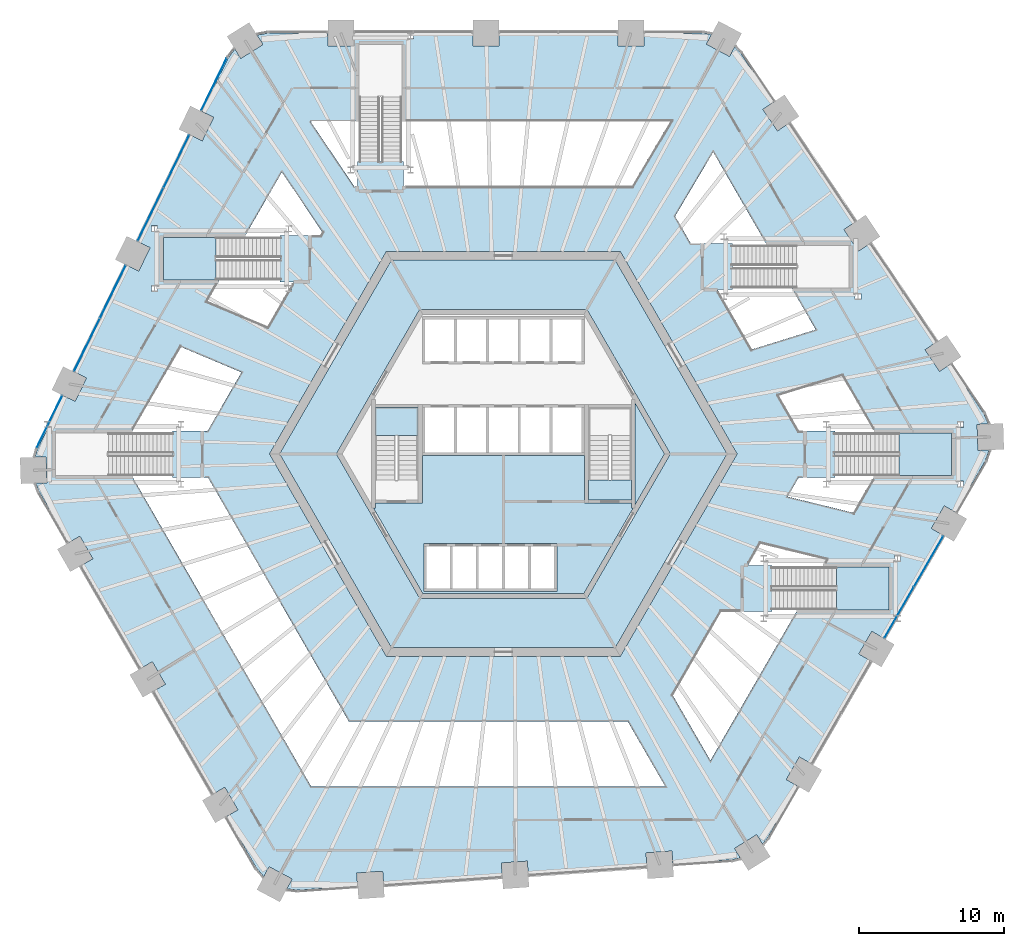
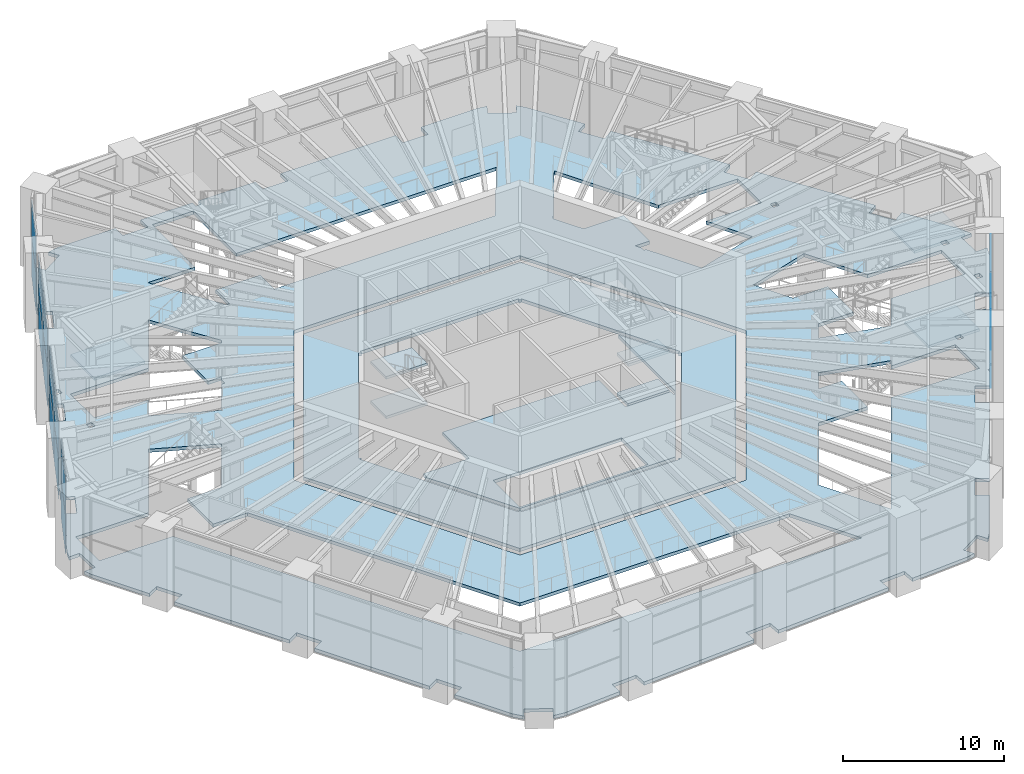
# One storey, part 17 of 32: 16 plates, 11 slabs, 10 elements without a shape of their own.
"""IFC4 building model written with IfcOpenShell, lengths in metres."""

from ifc_helpers import new_model, si_unit, direction, frame, origin, origin_2d, place, context, subcontext, project, spatial, polyline, rectangle, outline, extrude, material, layer, layer_set, type_object, element, aggregate, save


model = new_model("IFC4")

# Units and contexts
model_context = context("Model", 3, precision=1e-05, world=origin(), true_north=direction((0.0, 1.0)))
body_context = subcontext(model_context, "Body", "Model", "MODEL_VIEW")
ifc_project = project(units=[si_unit("LENGTHUNIT", "METRE"), si_unit("AREAUNIT", "SQUARE_METRE"), si_unit("VOLUMEUNIT", "CUBIC_METRE"), si_unit("PLANEANGLEUNIT", "RADIAN"), si_unit("MASSUNIT", "GRAM", prefix="KILO")], contexts=[model_context])

# Site, building, storey
site_placement = place(None, origin())
site = spatial("IfcSite", under=ifc_project, at=site_placement, CompositionType="ELEMENT")
building_placement = place(site_placement, origin())
building = spatial("IfcBuilding", under=site, at=building_placement, Name="Tarnside Tower", CompositionType="ELEMENT")
storey_placement = place(building_placement, frame((0.0, 0.0, 9.0)))
storey = spatial("IfcBuildingStorey", under=building, at=storey_placement, Name="L01", CompositionType="ELEMENT", Elevation=9.0)

# Slabs
ifc_material_1 = material(Name="Concrete C35/45", Category="concrete")
ifc_layer_1 = layer(ifc_material_1, 0.25)
ifc_layer_set_1 = layer_set([ifc_layer_1], Name="Composite floor slab 250")
slab_type_1 = type_object("IfcSlabType", Name="Composite floor slab 250", PredefinedType="FLOOR", material=ifc_layer_set_1)
slab_1_placement = place(storey_placement, frame((0.0, 0.0, -0.25)))
element("IfcSlab", 1, at=slab_1_placement, inside=storey, type_object=slab_type_1, Name="Floor slab L01", PredefinedType="FLOOR", context=body_context, shape_type="SweptSolid", body=[
    extrude(outline(polyline([(25.4775390625, -12.271728515625), (24.577392578125, -13.83056640625), (25.35693359375, -14.280517578125), (21.2451171875, -21.402587890625), (20.465576171875, -20.952392578125), (19.565673828125, -22.511474609375), (20.344970703125, -22.96142578125), (18.2890625, -26.522216796875), (17.91748046875, -26.9755859375), (17.51171875, -26.326416015625), (15.9853515625, -27.2802734375), (16.39111328125, -27.9296875), (15.82080078125, -28.064697265625), (11.718994140625, -28.3515625), (11.656005859375, -27.453857421875), (9.860595703125, -27.579345703125), (9.923095703125, -28.477294921875), (1.719482421875, -29.05078125), (1.65673828125, -28.153076171875), (-0.138916015625, -28.278564453125), (-0.075927734375, -29.176513671875), (-8.27978515625, -29.75), (-8.342529296875, -28.852294921875), (-10.13818359375, -28.977783203125), (-10.0751953125, -29.87548828125), (-14.177001953125, -30.162353515625), (-14.968994140625, -30.06982421875), (-14.6064453125, -29.3876953125), (-16.19580078125, -28.54248046875), (-16.558349609375, -29.224853515625), (-17.077880859375, -28.6201171875), (-19.134033203125, -25.05908203125), (-18.3544921875, -24.60888671875), (-19.25439453125, -23.05029296875), (-20.033935546875, -23.500244140625), (-24.145751953125, -16.378173828125), (-23.366455078125, -15.92822265625), (-24.266357421875, -14.369384765625), (-25.0458984375, -14.8193359375), (-29.15771484375, -7.697509765625), (-28.378173828125, -7.24755859375), (-29.2783203125, -5.688720703125), (-30.0576171875, -6.138671875), (-32.113525390625, -2.57763671875), (-32.3203125, -2.029296875), (-31.55517578125, -2.00244140625), (-31.617919921875, -0.20361328125), (-32.38330078125, -0.230224609375), (-32.215087890625, 0.331298828125), (-31.479736328125, 1.839111328125), (-31.339111328125, 1.839111328125), (-31.339111328125, 2.127197265625), (-30.41259765625, 4.027099609375), (-29.603759765625, 3.63232421875), (-28.814697265625, 5.250244140625), (-29.62353515625, 5.644775390625), (-26.0185546875, 13.0361328125), (-25.209716796875, 12.6416015625), (-24.420654296875, 14.259521484375), (-25.2294921875, 14.654052734375), (-21.62451171875, 22.04541015625), (-20.8154296875, 21.65087890625), (-20.026611328125, 23.268798828125), (-20.83544921875, 23.663330078125), (-19.032958984375, 27.35888671875), (-18.556640625, 27.99853515625), (-18.147216796875, 27.343505859375), (-16.620849609375, 28.297119140625), (-17.0302734375, 28.952392578125), (-16.24658203125, 29.10009765625), (-12.134765625, 29.10009765625), (-12.134765625, 28.199951171875), (-10.334716796875, 28.199951171875), (-10.334716796875, 29.10009765625), (-6.62548828125, 29.10009765625), (-6.62548828125, 28.689208984375), (-6.21337890625, 28.689208984375), (-6.21337890625, 29.10009765625), (-2.111083984375, 29.10009765625), (-2.111083984375, 28.199951171875), (-0.31103515625, 28.199951171875), (-0.31103515625, 29.10009765625), (7.91259765625, 29.10009765625), (7.91259765625, 28.199951171875), (9.712646484375, 28.199951171875), (9.712646484375, 29.10009765625), (13.824462890625, 29.10009765625), (14.40283203125, 29.0048828125), (14.04345703125, 28.328857421875), (15.6328125, 27.483642578125), (15.9921875, 28.159912109375), (16.39453125, 27.7333984375), (18.69384765625, 24.32470703125), (17.947509765625, 23.8212890625), (18.9541015625, 22.3291015625), (19.7001953125, 22.83251953125), (24.298828125, 16.0146484375), (23.552734375, 15.51123046875), (24.559326171875, 14.01904296875), (25.305419921875, 14.522216796875), (29.904052734375, 7.70458984375), (29.157958984375, 7.201416015625), (30.16455078125, 5.708984375), (30.91064453125, 6.21240234375), (33.2099609375, 2.803466796875), (33.52587890625, 2.0712890625), (32.753662109375, 2.044189453125), (32.81640625, 0.245361328125), (33.588623046875, 0.2724609375), (33.32470703125, -0.47998046875), (31.268798828125, -4.041015625), (30.4892578125, -3.591064453125), (29.58935546875, -5.14990234375), (30.36865234375, -5.599853515625), (27.156005859375, -11.164306640625), (27.04931640625, -11.164306640625), (27.04931640625, -11.349365234375), (26.2568359375, -12.7216796875), (25.4775390625, -12.271728515625)]), holes=[polyline([(8.0830078125, 14.0), (-8.0830078125, 14.0), (-16.165771484375, 0.0), (-8.0830078125, -14.0), (8.0830078125, -14.0), (16.165771484375, 0.0), (8.0830078125, 14.0)]), polyline([(19.655029296875, -2.95654296875), (24.2080078125, -4.070556640625), (25.692138671875, -1.5), (31.0, -1.5), (31.0, 1.449951171875), (25.720947265625, 1.449951171875), (23.443603515625, 5.39453125), (19.037353515625, 4.026611328125), (20.45263671875, 1.574951171875), (22.929931640625, 1.574951171875), (22.929931640625, -1.625), (20.423828125, -1.625), (19.655029296875, -2.95654296875)]), polyline([(18.590087890625, -10.89990234375), (15.06884765625, -10.89990234375), (11.72021484375, -16.699951171875), (14.318359375, -21.199951171875), (20.337158203125, -10.77490234375), (26.659912109375, -10.77490234375), (26.659912109375, -7.824951171875), (22.040283203125, -7.824951171875), (22.3330078125, -7.318115234375), (17.780029296875, -6.203857421875), (16.91650390625, -7.699951171875), (18.590087890625, -7.699951171875), (18.590087890625, -10.89990234375)]), polyline([(14.509765625, 20.868408203125), (11.872802734375, 16.435791015625), (12.96142578125, 14.550048828125), (15.840087890625, 14.550048828125), (15.840087890625, 11.35009765625), (14.80908203125, 11.35009765625), (15.03857421875, 10.952392578125), (15.03857421875, 10.673583984375), (15.19970703125, 10.673583984375), (17.19189453125, 7.222900390625), (21.597900390625, 8.591064453125), (19.93310546875, 11.47509765625), (23.909912109375, 11.47509765625), (23.909912109375, 14.425048828125), (18.229736328125, 14.425048828125), (14.509765625, 20.868408203125)]), polyline([(-9.96484375, 28.300048828125), (-9.96484375, 23.0), (-13.279052734375, 23.0), (-13.308349609375, 22.94921875), (-10.30712890625, 18.5), (-10.08984375, 18.5), (-10.08984375, 20.22998046875), (-6.889892578125, 20.22998046875), (-6.889892578125, 18.5), (8.911865234375, 18.5), (11.589111328125, 23.0), (-7.014892578125, 23.0), (-7.014892578125, 28.300048828125), (-9.96484375, 28.300048828125)]), polyline([(-25.720947265625, 1.449951171875), (-30.949951171875, 1.449951171875), (-30.949951171875, -1.5), (-25.692138671875, -1.5), (-13.279052734375, -23.0), (11.20068359375, -23.0), (8.6025390625, -18.5), (-10.680908203125, -18.5), (-20.423828125, -1.625), (-22.8798828125, -1.625), (-22.8798828125, 1.574951171875), (-20.45263671875, 1.574951171875), (-18.10546875, 5.640380859375), (-22.288818359375, 7.39453125), (-25.720947265625, 1.449951171875)]), polyline([(-19.615478515625, 12.02490234375), (-20.474365234375, 10.537353515625), (-16.291015625, 8.783203125), (-14.882080078125, 11.2236328125), (-14.638671875, 11.2236328125), (-14.638671875, 11.6357421875), (-14.64404296875, 11.6357421875), (-14.491455078125, 11.89990234375), (-15.43994140625, 11.89990234375), (-15.43994140625, 15.10009765625), (-12.64404296875, 15.10009765625), (-12.51123046875, 15.329833984375), (-15.31103515625, 19.480712890625), (-17.912353515625, 14.97509765625), (-23.510009765625, 14.97509765625), (-23.510009765625, 12.02490234375), (-19.615478515625, 12.02490234375)]), polyline([(31.38916015625, 2.25146484375), (31.38916015625, 1.839111328125), (31.801513671875, 1.839111328125), (31.801513671875, 2.25146484375), (31.38916015625, 2.25146484375)]), polyline([(31.801513671875, -1.88916015625), (31.38916015625, -1.88916015625), (31.38916015625, -2.301513671875), (31.801513671875, -2.301513671875), (31.801513671875, -1.88916015625)]), polyline([(24.29931640625, 11.085693359375), (24.29931640625, 10.673583984375), (24.71142578125, 10.673583984375), (24.71142578125, 11.085693359375), (24.29931640625, 11.085693359375)]), polyline([(27.04931640625, -7.435791015625), (27.46142578125, -7.435791015625), (27.46142578125, -7.023681640625), (27.04931640625, -7.023681640625), (27.04931640625, -7.435791015625)]), polyline([(-24.311279296875, 11.2236328125), (-23.899169921875, 11.2236328125), (-23.899169921875, 11.6357421875), (-24.311279296875, 11.6357421875), (-24.311279296875, 11.2236328125)]), polyline([(-24.311279296875, 15.7763671875), (-24.311279296875, 15.3642578125), (-23.899169921875, 15.3642578125), (-23.899169921875, 15.7763671875), (-24.311279296875, 15.7763671875)])]), origin(), (0.0, 0.0, 1.0), 0.25),
])
ifc_material_2 = material(Name="Concrete C40/50", Category="concrete")
ifc_layer_2 = layer(ifc_material_2, 0.25)
ifc_layer_set_2 = layer_set([ifc_layer_2], Name="Core slab C40/50")
slab_type_2 = type_object("IfcSlabType", Name="Core slab C40/50", PredefinedType="FLOOR", material=ifc_layer_set_2)
slab_2_placement = place(storey_placement, frame((0.0, 0.0, -0.25)))
element("IfcSlab", 2, at=slab_2_placement, inside=storey, type_object=slab_type_2, Name="L01 core floor slab 1", PredefinedType="FLOOR", context=body_context, shape_type="SweptSolid", body=[
    extrude(outline(polyline([(-15.472900390625, 0.0), (-7.736572265625, 13.39990234375), (7.736572265625, 13.39990234375), (15.472900390625, 0.0), (7.736572265625, -13.39990234375), (-7.736572265625, -13.39990234375), (-15.472900390625, 0.0)]), holes=[polyline([(5.823974609375, -9.91259765625), (11.49658203125, -0.08740234375), (11.344970703125, 0.0), (11.49658203125, 0.08740234375), (5.823974609375, 9.91259765625), (5.672607421875, 9.824951171875), (5.672607421875, 10.0), (-5.672607421875, 10.0), (-5.672607421875, 9.824951171875), (-5.823974609375, 9.91259765625), (-11.49658203125, 0.08740234375), (-11.344970703125, 0.0), (-11.49658203125, -0.08740234375), (-5.823974609375, -9.91259765625), (-5.672607421875, -9.824951171875), (-5.672607421875, -10.0), (5.672607421875, -10.0), (5.672607421875, -9.824951171875), (5.823974609375, -9.91259765625)])]), origin(), (0.0, 0.0, 1.0), 0.25),
])
slab_3_placement = place(storey_placement, frame((0.0, 0.0, -0.25)))
element("IfcSlab", 3, at=slab_3_placement, inside=storey, type_object=slab_type_2, Name="L01 core floor slab 3", PredefinedType="FLOOR", context=body_context, shape_type="SweptSolid", body=[
    extrude(outline(polyline([(5.60009765625, -3.39990234375), (5.89990234375, -3.39990234375), (8.85009765625, -3.39990234375), (8.85009765625, -3.7548828125), (8.97509765625, -3.7548828125), (5.5712890625, -9.64990234375), (-5.5712890625, -9.64990234375), (-8.97509765625, -3.7548828125), (-8.85009765625, -3.7548828125), (-8.85009765625, -3.39990234375), (-5.89990234375, -3.39990234375), (-5.60009765625, -3.39990234375), (-5.60009765625, -0.10009765625), (5.60009765625, -0.10009765625), (5.60009765625, -3.39990234375)]), holes=[polyline([(-5.5, -9.300048828125), (-5.5, -9.5), (3.699951171875, -9.5), (3.699951171875, -9.300048828125), (3.699951171875, -6.39990234375), (3.699951171875, -6.199951171875), (-5.5, -6.199951171875), (-5.5, -6.39990234375), (-5.5, -9.300048828125)])]), origin(), (0.0, 0.0, 1.0), 0.25),
])
slab_4_placement = place(storey_placement, frame((0.0, 0.0, -0.25)))
element("IfcSlab", 4, at=slab_4_placement, inside=storey, type_object=slab_type_2, Name="L01 core floor slab 6", PredefinedType="FLOOR", context=body_context, shape_type="SweptSolid", body=[
    extrude(outline(polyline([(5.89990234375, -3.199951171875), (5.89990234375, -1.800048828125), (8.85009765625, -1.800048828125), (8.85009765625, -3.199951171875), (5.89990234375, -3.199951171875)])), origin(), (0.0, 0.0, 1.0), 0.25),
])
slab_5_placement = place(storey_placement, frame((0.0, 0.0, -0.25)))
element("IfcSlab", 5, at=slab_5_placement, inside=storey, type_object=slab_type_2, Name="L01 core floor slab 7", PredefinedType="FLOOR", context=body_context, shape_type="SweptSolid", body=[
    extrude(outline(polyline([(9.10009765625, -3.538330078125), (9.10009765625, 3.538330078125), (11.142822265625, 0.0), (9.10009765625, -3.538330078125)])), origin(), (0.0, 0.0, 1.0), 0.25),
])

# Stair, slab
stair_type_1 = type_object("IfcStairType", Name="Podium exit stair 1400 clear", PredefinedType="HALF_TURN_STAIR", material=ifc_material_2)
stair_1_placement = place(storey_placement, origin())
stair_1 = element("IfcStair", 6, at=stair_1_placement, inside=storey, type_object=stair_type_1, Name="L01 Podium exit stair 3", PredefinedType="HALF_TURN_STAIR")
ifc_layer_3 = layer(ifc_material_2, 0.199951171875)
ifc_layer_set_3 = layer_set([ifc_layer_3], Name="Podium stair landing 200 C40/50")
slab_type_3 = type_object("IfcSlabType", Name="Podium stair landing 200 C40/50", PredefinedType="LANDING", material=ifc_layer_set_3)
slab_6_placement = place(storey_placement, frame((0.0, 0.0, 2.800048828125)))
slab_6 = element("IfcSlab", 7, at=slab_6_placement, type_object=slab_type_3, Name="PS3 landing 1", PredefinedType="LANDING", context=body_context, shape_type="SweptSolid", body=[
    extrude(outline(polyline([(27.360107421875, -1.5), (31.0, -1.5), (31.0, 1.449951171875), (27.360107421875, 1.449951171875), (27.360107421875, -1.5)])), origin(), (0.0, 0.0, 1.0), 0.199951171875),
])
aggregate(stair_1, [slab_6])

stair_2_placement = place(storey_placement, origin())
stair_2 = element("IfcStair", 8, at=stair_2_placement, inside=storey, type_object=stair_type_1, Name="L01 Podium exit stair 5", PredefinedType="HALF_TURN_STAIR")
slab_7_placement = place(storey_placement, frame((0.0, 0.0, 2.800048828125)))
slab_7 = element("IfcSlab", 9, at=slab_7_placement, type_object=slab_type_3, Name="PS5 landing 1", PredefinedType="LANDING", context=body_context, shape_type="SweptSolid", body=[
    extrude(outline(polyline([(23.02001953125, -10.77490234375), (26.659912109375, -10.77490234375), (26.659912109375, -7.824951171875), (23.02001953125, -7.824951171875), (23.02001953125, -10.77490234375)])), origin(), (0.0, 0.0, 1.0), 0.199951171875),
])
aggregate(stair_2, [slab_7])

stair_3_placement = place(storey_placement, origin())
stair_3 = element("IfcStair", 10, at=stair_3_placement, inside=storey, type_object=stair_type_1, Name="L01 Podium exit stair 6", PredefinedType="HALF_TURN_STAIR")
slab_8_placement = place(storey_placement, frame((0.0, 0.0, 2.800048828125)))
slab_8 = element("IfcSlab", 11, at=slab_8_placement, type_object=slab_type_3, Name="PS6 landing 1", PredefinedType="LANDING", context=body_context, shape_type="SweptSolid", body=[
    extrude(outline(polyline([(-19.8701171875, 14.97509765625), (-23.510009765625, 14.97509765625), (-23.510009765625, 12.02490234375), (-19.8701171875, 12.02490234375), (-19.8701171875, 14.97509765625)])), origin(), (0.0, 0.0, 1.0), 0.199951171875),
])
aggregate(stair_3, [slab_8])

# Curtain wall, plates
ifc_material_3 = material(Name="Retail shopfront glazing wall", Category="glass")
curtain_wall_type = type_object("IfcCurtainWallType", Name="Retail shopfront glazing wall", PredefinedType="NOTDEFINED", material=ifc_material_3)
curtain_wall_1_placement = place(storey_placement, origin())
curtain_wall_1 = element("IfcCurtainWall", 12, at=curtain_wall_1_placement, inside=storey, type_object=curtain_wall_type, Name="Retail shopfront glazing L01 03.1", PredefinedType="NOTDEFINED")
ifc_material_4 = material(Name="Low-iron safety glass", Category="glass")
ifc_layer_4 = layer(ifc_material_4, 0.028076171875)
ifc_layer_set_4 = layer_set([ifc_layer_4], Name="Retail shopfront glazing panel 28")
plate_type = type_object("IfcPlateType", Name="Retail shopfront glazing panel 28", PredefinedType="CURTAIN_PANEL", material=ifc_layer_set_4)
plate_1_placement = place(storey_placement, frame((-20.006103515625, 25.546142578125, -0.18994140625), z_axis=(0.0, 0.0, 1.0), x_axis=(-0.438371146758, -0.898794046314, 0.0)))
plate_1 = element("IfcPlate", 13, at=plate_1_placement, type_object=plate_type, Name="CW2 panel 1.1", PredefinedType="CURTAIN_PANEL", context=body_context, shape_type="SweptSolid", body=[
    extrude(rectangle(XDim=3.991943359375, YDim=0.028076171875, at=origin_2d()), origin(), (0.0, 0.0, 1.0), 2.909912109375),
])
plate_2_placement = place(storey_placement, frame((-20.006103515625, 25.546142578125, 2.7802734375), z_axis=(0.0, 0.0, 1.0), x_axis=(-0.438371146758, -0.898794046314, 0.0)))
plate_2 = element("IfcPlate", 14, at=plate_2_placement, type_object=plate_type, Name="CW2 panel 1.2", PredefinedType="CURTAIN_PANEL", context=body_context, shape_type="SweptSolid", body=[
    extrude(rectangle(XDim=3.991943359375, YDim=0.028076171875, at=origin_2d()), origin(), (0.0, 0.0, 1.0), 2.909912109375),
])
aggregate(curtain_wall_1, [plate_1, plate_2])

curtain_wall_2_placement = place(storey_placement, origin())
curtain_wall_2 = element("IfcCurtainWall", 15, at=curtain_wall_2_placement, inside=storey, type_object=curtain_wall_type, Name="Retail shopfront glazing L01 04.0", PredefinedType="NOTDEFINED")
plate_3_placement = place(storey_placement, frame((-22.604248046875, 20.21923828125, -0.18994140625), z_axis=(0.0, 0.0, 1.0), x_axis=(-0.438371146805, -0.898794046292, 0.0)))
plate_3 = element("IfcPlate", 16, at=plate_3_placement, type_object=plate_type, Name="CW2 panel 1.1", PredefinedType="CURTAIN_PANEL", context=body_context, shape_type="SweptSolid", body=[
    extrude(rectangle(XDim=4.021728515625, YDim=0.028076171875, at=origin_2d()), origin(), (0.0, 0.0, 1.0), 2.909912109375),
])
plate_4_placement = place(storey_placement, frame((-22.604248046875, 20.21923828125, 2.7802734375), z_axis=(0.0, 0.0, 1.0), x_axis=(-0.438371146805, -0.898794046292, 0.0)))
plate_4 = element("IfcPlate", 17, at=plate_4_placement, type_object=plate_type, Name="CW2 panel 1.2", PredefinedType="CURTAIN_PANEL", context=body_context, shape_type="SweptSolid", body=[
    extrude(rectangle(XDim=4.021728515625, YDim=0.028076171875, at=origin_2d()), origin(), (0.0, 0.0, 1.0), 2.909912109375),
])
plate_5_placement = place(storey_placement, frame((-24.3935546875, 16.550537109375, -0.18994140625), z_axis=(0.0, 0.0, 1.0), x_axis=(-0.438371146805, -0.898794046292, 0.0)))
plate_5 = element("IfcPlate", 18, at=plate_5_placement, type_object=plate_type, Name="CW2 panel 2.1", PredefinedType="CURTAIN_PANEL", context=body_context, shape_type="SweptSolid", body=[
    extrude(rectangle(XDim=4.021728515625, YDim=0.028076171875, at=origin_2d()), origin(), (0.0, 0.0, 1.0), 2.909912109375),
])
plate_6_placement = place(storey_placement, frame((-24.3935546875, 16.550537109375, 2.7802734375), z_axis=(0.0, 0.0, 1.0), x_axis=(-0.438371146805, -0.898794046292, 0.0)))
plate_6 = element("IfcPlate", 19, at=plate_6_placement, type_object=plate_type, Name="CW2 panel 2.2", PredefinedType="CURTAIN_PANEL", context=body_context, shape_type="SweptSolid", body=[
    extrude(rectangle(XDim=4.021728515625, YDim=0.028076171875, at=origin_2d()), origin(), (0.0, 0.0, 1.0), 2.909912109375),
])
aggregate(curtain_wall_2, [plate_3, plate_4, plate_5, plate_6])

curtain_wall_3_placement = place(storey_placement, origin())
curtain_wall_3 = element("IfcCurtainWall", 20, at=curtain_wall_3_placement, inside=storey, type_object=curtain_wall_type, Name="Retail shopfront glazing L01 05.0", PredefinedType="NOTDEFINED")
plate_7_placement = place(storey_placement, frame((-26.998291015625, 11.2099609375, -0.18994140625), z_axis=(0.0, 0.0, 1.0), x_axis=(-0.438371146805, -0.898794046292, 0.0)))
plate_7 = element("IfcPlate", 21, at=plate_7_placement, type_object=plate_type, Name="CW2 panel 1.1", PredefinedType="CURTAIN_PANEL", context=body_context, shape_type="SweptSolid", body=[
    extrude(rectangle(XDim=4.021728515625, YDim=0.028076171875, at=origin_2d()), origin(), (0.0, 0.0, 1.0), 2.909912109375),
])
plate_8_placement = place(storey_placement, frame((-26.998291015625, 11.2099609375, 2.7802734375), z_axis=(0.0, 0.0, 1.0), x_axis=(-0.438371146805, -0.898794046292, 0.0)))
plate_8 = element("IfcPlate", 22, at=plate_8_placement, type_object=plate_type, Name="CW2 panel 1.2", PredefinedType="CURTAIN_PANEL", context=body_context, shape_type="SweptSolid", body=[
    extrude(rectangle(XDim=4.021728515625, YDim=0.028076171875, at=origin_2d()), origin(), (0.0, 0.0, 1.0), 2.909912109375),
])
plate_9_placement = place(storey_placement, frame((-28.78759765625, 7.541259765625, -0.18994140625), z_axis=(0.0, 0.0, 1.0), x_axis=(-0.438371146805, -0.898794046292, 0.0)))
plate_9 = element("IfcPlate", 23, at=plate_9_placement, type_object=plate_type, Name="CW2 panel 2.1", PredefinedType="CURTAIN_PANEL", context=body_context, shape_type="SweptSolid", body=[
    extrude(rectangle(XDim=4.021728515625, YDim=0.028076171875, at=origin_2d()), origin(), (0.0, 0.0, 1.0), 2.909912109375),
])
plate_10_placement = place(storey_placement, frame((-28.78759765625, 7.541259765625, 2.7802734375), z_axis=(0.0, 0.0, 1.0), x_axis=(-0.438371146805, -0.898794046292, 0.0)))
plate_10 = element("IfcPlate", 24, at=plate_10_placement, type_object=plate_type, Name="CW2 panel 2.2", PredefinedType="CURTAIN_PANEL", context=body_context, shape_type="SweptSolid", body=[
    extrude(rectangle(XDim=4.021728515625, YDim=0.028076171875, at=origin_2d()), origin(), (0.0, 0.0, 1.0), 2.909912109375),
])
aggregate(curtain_wall_3, [plate_7, plate_8, plate_9, plate_10])

curtain_wall_4_placement = place(storey_placement, origin())
curtain_wall_4 = element("IfcCurtainWall", 25, at=curtain_wall_4_placement, inside=storey, type_object=curtain_wall_type, Name="Retail shopfront glazing L01 06.0", PredefinedType="NOTDEFINED")
plate_11_placement = place(storey_placement, frame((-31.3857421875, 2.214111328125, -0.18994140625), z_axis=(0.0, 0.0, 1.0), x_axis=(-0.438371146758, -0.898794046314, 0.0)))
plate_11 = element("IfcPlate", 26, at=plate_11_placement, type_object=plate_type, Name="CW2 panel 1.1", PredefinedType="CURTAIN_PANEL", context=body_context, shape_type="SweptSolid", body=[
    extrude(rectangle(XDim=3.991943359375, YDim=0.028076171875, at=origin_2d()), origin(), (0.0, 0.0, 1.0), 2.909912109375),
])
plate_12_placement = place(storey_placement, frame((-31.3857421875, 2.214111328125, 2.7802734375), z_axis=(0.0, 0.0, 1.0), x_axis=(-0.438371146758, -0.898794046314, 0.0)))
plate_12 = element("IfcPlate", 27, at=plate_12_placement, type_object=plate_type, Name="CW2 panel 1.2", PredefinedType="CURTAIN_PANEL", context=body_context, shape_type="SweptSolid", body=[
    extrude(rectangle(XDim=3.991943359375, YDim=0.028076171875, at=origin_2d()), origin(), (0.0, 0.0, 1.0), 2.909912109375),
])
aggregate(curtain_wall_4, [plate_11, plate_12])

curtain_wall_5_placement = place(storey_placement, origin())
curtain_wall_5 = element("IfcCurtainWall", 28, at=curtain_wall_5_placement, inside=storey, type_object=curtain_wall_type, Name="Retail shopfront glazing L01 17.0", PredefinedType="NOTDEFINED")
plate_13_placement = place(storey_placement, frame((27.361572265625, -10.96826171875, -0.18994140625), z_axis=(0.0, 0.0, 1.0), x_axis=(0.500000000076, 0.866025403741, 0.0)))
plate_13 = element("IfcPlate", 29, at=plate_13_placement, type_object=plate_type, Name="CW2 panel 1.1", PredefinedType="CURTAIN_PANEL", context=body_context, shape_type="SweptSolid", body=[
    extrude(rectangle(XDim=4.021728515625, YDim=0.028076171875, at=origin_2d()), origin(), (0.0, 0.0, 1.0), 2.909912109375),
])
plate_14_placement = place(storey_placement, frame((27.361572265625, -10.96826171875, 2.7802734375), z_axis=(0.0, 0.0, 1.0), x_axis=(0.500000000076, 0.866025403741, 0.0)))
plate_14 = element("IfcPlate", 30, at=plate_14_placement, type_object=plate_type, Name="CW2 panel 1.2", PredefinedType="CURTAIN_PANEL", context=body_context, shape_type="SweptSolid", body=[
    extrude(rectangle(XDim=4.021728515625, YDim=0.028076171875, at=origin_2d()), origin(), (0.0, 0.0, 1.0), 2.909912109375),
])
plate_15_placement = place(storey_placement, frame((29.402587890625, -7.433349609375, -0.18994140625), z_axis=(0.0, 0.0, 1.0), x_axis=(0.500000000076, 0.866025403741, 0.0)))
plate_15 = element("IfcPlate", 31, at=plate_15_placement, type_object=plate_type, Name="CW2 panel 2.1", PredefinedType="CURTAIN_PANEL", context=body_context, shape_type="SweptSolid", body=[
    extrude(rectangle(XDim=4.021728515625, YDim=0.028076171875, at=origin_2d()), origin(), (0.0, 0.0, 1.0), 2.909912109375),
])
plate_16_placement = place(storey_placement, frame((29.402587890625, -7.433349609375, 2.7802734375), z_axis=(0.0, 0.0, 1.0), x_axis=(0.500000000076, 0.866025403741, 0.0)))
plate_16 = element("IfcPlate", 32, at=plate_16_placement, type_object=plate_type, Name="CW2 panel 2.2", PredefinedType="CURTAIN_PANEL", context=body_context, shape_type="SweptSolid", body=[
    extrude(rectangle(XDim=4.021728515625, YDim=0.028076171875, at=origin_2d()), origin(), (0.0, 0.0, 1.0), 2.909912109375),
])
aggregate(curtain_wall_5, [plate_13, plate_14, plate_15, plate_16])

# Stair, slab
stair_type_2 = type_object("IfcStairType", Name="Exit stair 1400 clear", PredefinedType="HALF_TURN_STAIR", material=ifc_material_2)
stair_4_placement = place(storey_placement, origin())
stair_4 = element("IfcStair", 33, at=stair_4_placement, inside=storey, type_object=stair_type_2, Name="L01 Exit stair 1", PredefinedType="HALF_TURN_STAIR")
ifc_layer_5 = layer(ifc_material_2, 0.199951171875)
ifc_layer_set_5 = layer_set([ifc_layer_5], Name="Stair landing 200 C40/50")
slab_type_4 = type_object("IfcSlabType", Name="Stair landing 200 C40/50", PredefinedType="LANDING", material=ifc_layer_set_5)
slab_9_placement = place(storey_placement, frame((0.0, 0.0, 2.800048828125)))
slab_9 = element("IfcSlab", 34, at=slab_9_placement, type_object=slab_type_4, Name="ST1 landing 2", PredefinedType="LANDING", context=body_context, shape_type="SweptSolid", body=[
    extrude(outline(polyline([(8.85009765625, -3.199951171875), (8.85009765625, -1.800048828125), (5.89990234375, -1.800048828125), (5.89990234375, -3.199951171875), (8.85009765625, -3.199951171875)])), origin(), (0.0, 0.0, 1.0), 0.199951171875),
])
aggregate(stair_4, [slab_9])

# Stair, slabs
stair_5_placement = place(storey_placement, origin())
stair_5 = element("IfcStair", 35, at=stair_5_placement, inside=storey, type_object=stair_type_2, Name="L01 Exit stair 2", PredefinedType="HALF_TURN_STAIR")
slab_10_placement = place(storey_placement, frame((0.0, 0.0, 1.300048828125)))
slab_10 = element("IfcSlab", 36, at=slab_10_placement, type_object=slab_type_4, Name="ST2 landing 1", PredefinedType="LANDING", context=body_context, shape_type="SweptSolid", body=[
    extrude(outline(polyline([(-5.89990234375, 1.260009765625), (-5.89990234375, 3.199951171875), (-8.85009765625, 3.199951171875), (-8.85009765625, 1.260009765625), (-5.89990234375, 1.260009765625)])), origin(), (0.0, 0.0, 1.0), 0.199951171875),
])
slab_11_placement = place(storey_placement, frame((0.0, 0.0, 4.300048828125)))
slab_11 = element("IfcSlab", 37, at=slab_11_placement, type_object=slab_type_4, Name="ST2 landing 3", PredefinedType="LANDING", context=body_context, shape_type="SweptSolid", body=[
    extrude(outline(polyline([(-5.89990234375, 1.260009765625), (-5.89990234375, 3.199951171875), (-8.85009765625, 3.199951171875), (-8.85009765625, 1.260009765625), (-5.89990234375, 1.260009765625)])), origin(), (0.0, 0.0, 1.0), 0.199951171875),
])
aggregate(stair_5, [slab_10, slab_11])

save(model, "model.ifc")
